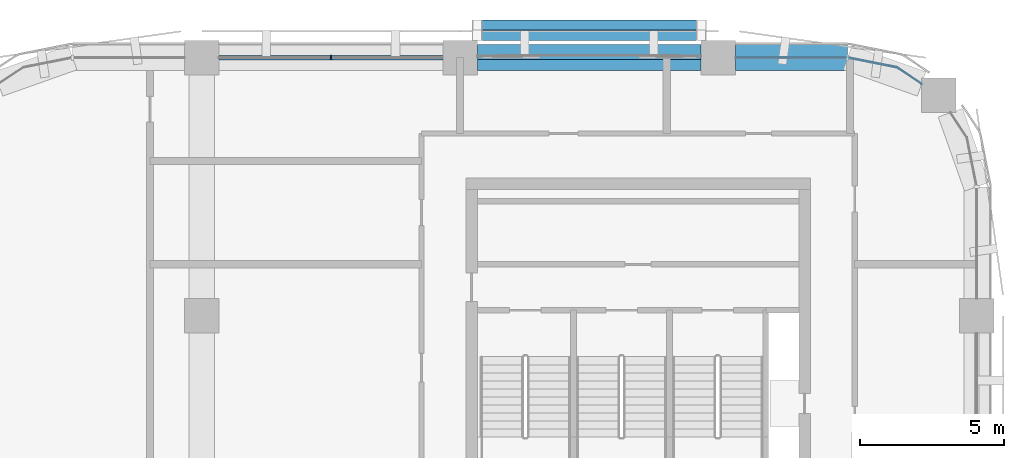
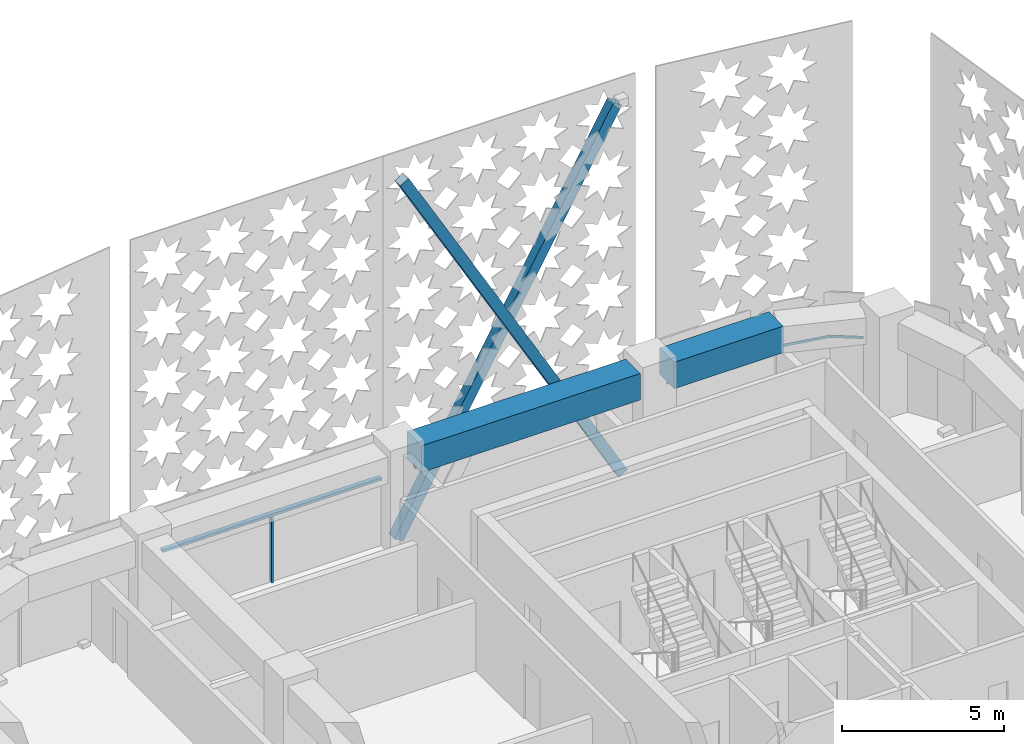
# One storey, part 4 of 17: 6 members, 2 beams, 3 elements without a shape of their own.
"""IFC4 building model written with IfcOpenShell, lengths in metres."""

from ifc_helpers import new_model, si_unit, direction, frame, origin, origin_2d, place, context, subcontext, project, spatial, polyline, rectangle, hollow_rectangle, outline, extrude, material, material_profile, profile_set, type_object, element, aggregate, save


model = new_model("IFC4")

# Units and contexts
model_context = context("Model", 3, precision=1e-05, world=origin(), true_north=direction((0.0, 1.0)))
body_context = subcontext(model_context, "Body", "Model", "MODEL_VIEW")
ifc_project = project(units=[si_unit("LENGTHUNIT", "METRE"), si_unit("AREAUNIT", "SQUARE_METRE"), si_unit("VOLUMEUNIT", "CUBIC_METRE"), si_unit("PLANEANGLEUNIT", "RADIAN"), si_unit("MASSUNIT", "GRAM", prefix="KILO")], contexts=[model_context])

# Site, building, storey
site_placement = place(None, origin())
site = spatial("IfcSite", under=ifc_project, at=site_placement, CompositionType="ELEMENT")
building_placement = place(site_placement, origin())
building = spatial("IfcBuilding", under=site, at=building_placement, Name="Tessera Arch", CompositionType="ELEMENT")
storey_placement = place(building_placement, frame((0.0, 0.0, 281.300048828125)))
storey = spatial("IfcBuildingStorey", under=building, at=storey_placement, Name="L68", CompositionType="ELEMENT", Elevation=281.300048828125)

# Members
ifc_material_1 = material(Name="Steel A500 Gr C", Category="steel")
ifc_material_profile_1 = material_profile(ifc_material_1, hollow_rectangle(XDim=0.355712890625, YDim=0.355712890625, WallThickness=0.01171875, at=origin_2d()), Name="HSS14x14x1/2")
ifc_profile_set_1 = profile_set([ifc_material_profile_1], Name="Steel A500 Gr C")
member_type_1 = type_object("IfcMemberType", Name="Brace HSS14x14x1/2 Steel A500 Gr C", PredefinedType="BRACE", material=ifc_profile_set_1)
for number, where, z_axis, x_axis, name in (
    (1, (44.39990234375, 54.77783203125, -0.800048828125), (-0.494764064912, 0.0, 0.869027341383), (0.0, -1.0, 0.0), "Brace N54.18-1 A L68-L70"),
    (2, (36.60009765625, 55.13330078125, -0.800048828125), (0.494764064912, 0.0, 0.869027341383), (0.0, 1.0, 0.0), "Brace N54.18-1 B L68-L70"),
):
    element("IfcMember", number, at=place(storey_placement, frame(where, z_axis=z_axis, x_axis=x_axis)), inside=storey, type_object=member_type_1, Name=name, PredefinedType="BRACE", context=body_context, shape_type="SweptSolid", body=[
        extrude(hollow_rectangle(XDim=0.355712890625, YDim=0.355712890625, WallThickness=0.01171875, at=origin_2d()), origin(), (0.0, 0.0, 1.0), 15.7646484375),
    ])

# Curtain wall, members
ifc_material_2 = material(Name="CW1 curtain wall")
curtain_wall_type_1 = type_object("IfcCurtainWallType", Name="CW1 curtain wall", PredefinedType="NOTDEFINED", material=ifc_material_2)
curtain_wall_1_placement = place(storey_placement, origin())
curtain_wall_1 = element("IfcCurtainWall", 3, at=curtain_wall_1_placement, inside=storey, type_object=curtain_wall_type_1, Name="CW1 curtain wall N54.18/2 L68", PredefinedType="NOTDEFINED")
ifc_material_3 = material(Name="Anodised aluminium pale metal", Category="aluminium")
ifc_material_profile_2 = material_profile(ifc_material_3, rectangle(XDim=0.159912109375, YDim=0.06005859375, at=origin_2d()), Name="AL 60x160")
ifc_profile_set_2 = profile_set([ifc_material_profile_2], Name="Anodised aluminium pale metal")
member_type_2 = type_object("IfcMemberType", Name="CW1 mullion", PredefinedType="MULLION", material=ifc_profile_set_2)
member_1_placement = place(storey_placement, frame((31.5, 54.0, 0.0), z_axis=(0.0, 0.0, 1.0), x_axis=(0.0, -1.0, 0.0)))
member_1 = element("IfcMember", 4, at=member_1_placement, type_object=member_type_2, Name="CW1 mullion N54.18/2 1", PredefinedType="MULLION", context=body_context, shape_type="SweptSolid", body=[
    extrude(rectangle(XDim=0.159912109375, YDim=0.06005859375, at=origin_2d()), origin(), (0.0, 0.0, 1.0), 2.5),
])
ifc_material_4 = material(Name="Anodised aluminium pale metal", Category="aluminium")
ifc_material_profile_3 = material_profile(ifc_material_4, rectangle(XDim=0.159912109375, YDim=0.10009765625, at=origin_2d()), Name="AL 160x100")
ifc_profile_set_3 = profile_set([ifc_material_profile_3], Name="Anodised aluminium pale metal")
member_type_3 = type_object("IfcMemberType", Name="CW1 transom", PredefinedType="USERDEFINED", material=ifc_profile_set_3)
member_2_placement = place(storey_placement, frame((35.39990234375, 54.0, 2.550048828125), z_axis=(-1.0, 0.0, 0.0), x_axis=(0.0, -1.0, 0.0)))
member_2 = element("IfcMember", 5, at=member_2_placement, type_object=member_type_3, Name="CW1 transom N54.18/2 1.1", ObjectType="TRANSOM", PredefinedType="USERDEFINED", context=body_context, shape_type="SweptSolid", body=[
    extrude(rectangle(XDim=0.159912109375, YDim=0.10009765625, at=origin_2d()), origin(), (0.0, 0.0, 1.0), 7.7998046875),
])
aggregate(curtain_wall_1, [member_1, member_2])

# Curtain wall, member
ifc_material_5 = material(Name="CW2 curtain wall")
curtain_wall_type_2 = type_object("IfcCurtainWallType", Name="CW2 curtain wall", PredefinedType="NOTDEFINED", material=ifc_material_5)
curtain_wall_2_placement = place(storey_placement, origin())
curtain_wall_2 = element("IfcCurtainWall", 6, at=curtain_wall_2_placement, inside=storey, type_object=curtain_wall_type_2, Name="CW2 curtain wall N54.18/0 L68", PredefinedType="NOTDEFINED")
ifc_material_6 = material(Name="Anodised aluminium pale metal", Category="aluminium")
ifc_material_profile_4 = material_profile(ifc_material_6, rectangle(XDim=0.199951171875, YDim=0.10009765625, at=origin_2d()), Name="AL 200x100")
ifc_profile_set_4 = profile_set([ifc_material_profile_4], Name="Anodised aluminium pale metal")
member_type_4 = type_object("IfcMemberType", Name="CW2 transom", PredefinedType="USERDEFINED", material=ifc_profile_set_4)
member_3_placement = place(storey_placement, frame((0.0, 0.0, 2.5)))
member_3 = element("IfcMember", 7, at=member_3_placement, type_object=member_type_4, Name="CW2 transom N54.18/0 1", ObjectType="TRANSOM", PredefinedType="USERDEFINED", context=body_context, shape_type="SweptSolid", body=[
    extrude(outline(polyline([(51.21826171875, 53.648193359375), (52.076416015625, 53.07470703125), (52.087646484375, 53.09130859375), (51.22607421875, 53.6669921875), (49.5009765625, 54.010009765625), (45.60009765625, 54.010009765625), (45.60009765625, 53.989990234375), (49.4990234375, 53.989990234375), (51.21826171875, 53.648193359375)])), origin(), (0.0, 0.0, 1.0), 0.099853515625),
])
aggregate(curtain_wall_2, [member_3])

ifc_material_7 = material(Name="CW3 curtain wall")
curtain_wall_type_3 = type_object("IfcCurtainWallType", Name="CW3 curtain wall", PredefinedType="NOTDEFINED", material=ifc_material_7)
curtain_wall_3_placement = place(storey_placement, origin())
curtain_wall_3 = element("IfcCurtainWall", 8, at=curtain_wall_3_placement, inside=storey, type_object=curtain_wall_type_3, Name="CW3 curtain wall N54.18/1 L68", PredefinedType="NOTDEFINED")
ifc_material_8 = material(Name="Anodised aluminium pale metal", Category="aluminium")
ifc_material_profile_5 = material_profile(ifc_material_8, rectangle(XDim=0.139892578125, YDim=0.10009765625, at=origin_2d()), Name="AL 140x100")
ifc_profile_set_5 = profile_set([ifc_material_profile_5], Name="Anodised aluminium pale metal")
member_type_5 = type_object("IfcMemberType", Name="CW3 transom", PredefinedType="USERDEFINED", material=ifc_profile_set_5)
member_4_placement = place(storey_placement, frame((44.39990234375, 54.0, 2.550048828125), z_axis=(-1.0, 0.0, 0.0), x_axis=(0.0, -1.0, 0.0)))
member_4 = element("IfcMember", 9, at=member_4_placement, type_object=member_type_5, Name="CW3 transom N54.18/1 1.1", ObjectType="TRANSOM", PredefinedType="USERDEFINED", context=body_context, shape_type="SweptSolid", body=[
    extrude(rectangle(XDim=0.139892578125, YDim=0.10009765625, at=origin_2d()), origin(), (0.0, 0.0, 1.0), 7.7998046875),
])
aggregate(curtain_wall_3, [member_4])

# Beams
ifc_material_9 = material(Name="Concrete C60/75", Category="concrete")
ifc_material_profile_6 = material_profile(ifc_material_9, rectangle(XDim=0.89990234375, YDim=1.0, at=origin_2d()), Name="RC spandrel beam 900 x 1000 Concrete C60/75")
ifc_profile_set_6 = profile_set([ifc_material_profile_6], Name="Concrete C60/75")
beam_type = type_object("IfcBeamType", Name="RC spandrel beam 900 x 1000 Concrete C60/75", PredefinedType="BEAM", material=ifc_profile_set_6)
beam_1_placement = place(storey_placement, frame((49.5, 54.0, 3.099853515625), z_axis=(-1.0, 0.0, 0.0), x_axis=(0.0, -1.0, 0.0)))
element("IfcBeam", 10, at=beam_1_placement, inside=storey, type_object=beam_type, Name="Spandrel beam L68 N54.18/0.2", PredefinedType="BEAM", context=body_context, shape_type="SweptSolid", body=[
    extrude(rectangle(XDim=0.89990234375, YDim=1.0, at=origin_2d()), origin(), (0.0, 0.0, 1.0), 3.89990234375),
])
beam_2_placement = place(storey_placement, frame((44.39990234375, 54.0, 3.099853515625), z_axis=(-1.0, 0.0, 0.0), x_axis=(0.0, -1.0, 0.0)))
element("IfcBeam", 11, at=beam_2_placement, inside=storey, type_object=beam_type, Name="Spandrel beam L68 N54.18/1", PredefinedType="BEAM", context=body_context, shape_type="SweptSolid", body=[
    extrude(rectangle(XDim=0.89990234375, YDim=1.0, at=origin_2d()), origin(), (0.0, 0.0, 1.0), 7.7998046875),
])

save(model, "model.ifc")
